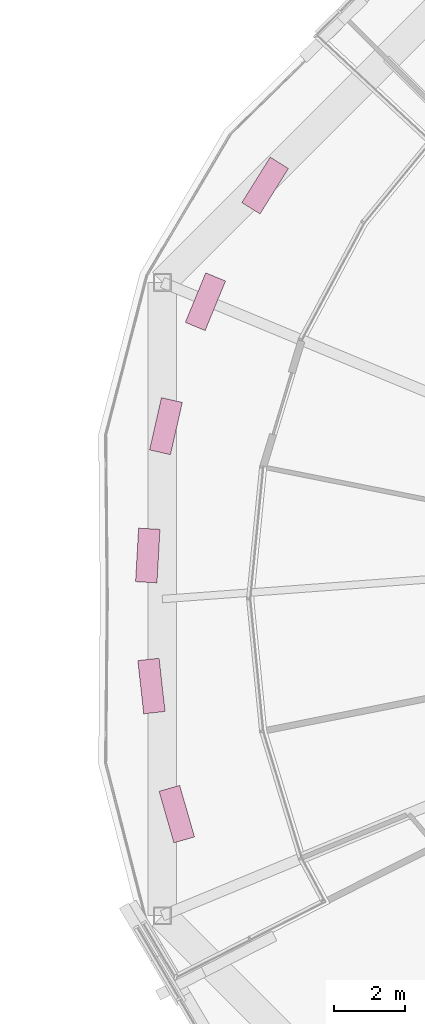
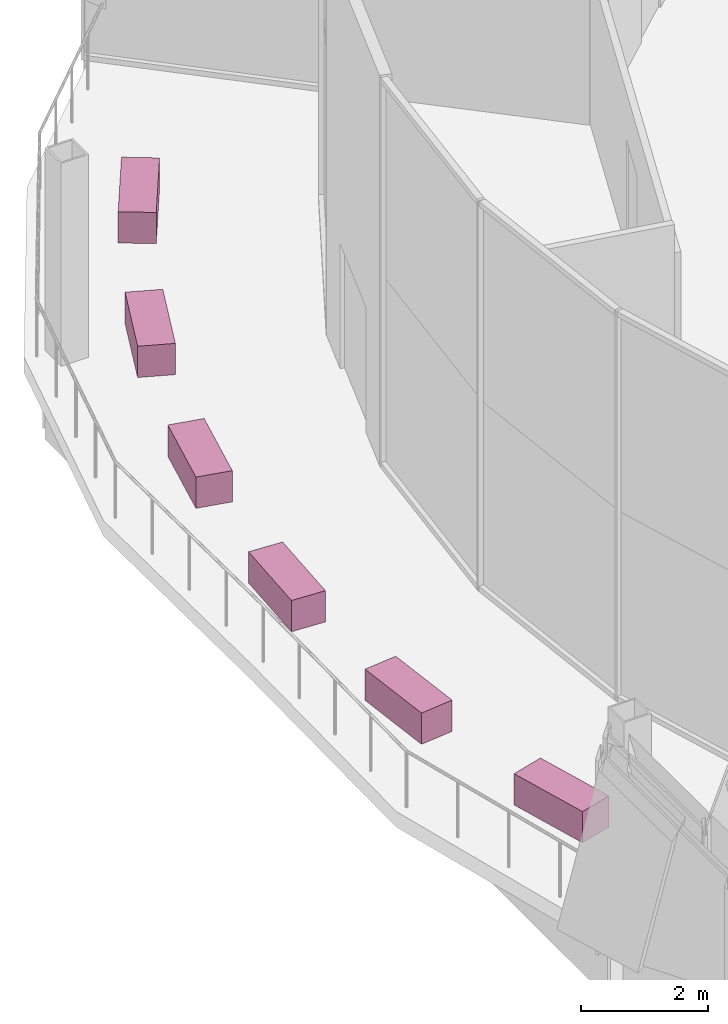
# One storey, part 31 of 31: 6 furniture elements.
"""IFC4 building model written with IfcOpenShell, lengths in metres."""

from ifc_helpers import new_model, si_unit, direction, frame, origin, origin_2d, place, context, subcontext, project, spatial, rectangle, extrude, material, type_object, element, save


model = new_model("IFC4")

# Units and contexts
model_context = context("Model", 3, precision=1e-05, world=origin(), true_north=direction((0.0, 1.0)))
body_context = subcontext(model_context, "Body", "Model", "MODEL_VIEW")
ifc_project = project(units=[si_unit("LENGTHUNIT", "METRE"), si_unit("AREAUNIT", "SQUARE_METRE"), si_unit("VOLUMEUNIT", "CUBIC_METRE"), si_unit("PLANEANGLEUNIT", "RADIAN"), si_unit("MASSUNIT", "GRAM", prefix="KILO")], contexts=[model_context])

# Site, building, storey
site_placement = place(None, origin())
site = spatial("IfcSite", under=ifc_project, at=site_placement, CompositionType="ELEMENT")
building_placement = place(site_placement, origin())
building = spatial("IfcBuilding", under=site, at=building_placement, Name="Ogive Gate Towers", CompositionType="ELEMENT")
storey_placement = place(building_placement, frame((0.0, 0.0, 107.39990234375)))
storey = spatial("IfcBuildingStorey", under=building, at=storey_placement, Name="L25", CompositionType="ELEMENT", Elevation=107.39990234375)

# Furniture
ifc_material = material(Name="Precast concrete C40/50", Category="concrete")
furniture_type = type_object("IfcFurnitureType", Name="Planter 1500 x 600", AssemblyPlace="NOTDEFINED", PredefinedType="USERDEFINED", material=ifc_material)
for number, where, z_axis, x_axis, name in (
    (1, (17.478515625, 11.573486328125, 0.0), (0.0, 0.0, 1.0), (-0.529919264233, -0.848048096156, 0.0), "Planter"),
    (2, (15.807861328125, 8.322509765625, 0.0), (0.0, 0.0, 1.0), (-0.38107037635, -0.924546033612, 0.0), "Planter"),
    (3, (14.70263671875, 4.838623046875, 0.0), (0.0, 0.0, 1.0), (-0.221548497619, -0.975149354306, 0.0), "Planter"),
    (4, (14.194091796875, 1.218994140625, 0.0), (0.0, 0.0, 1.0), (-0.055821504993, -0.998440764182, 0.0), "Planter"),
    (5, (14.296142578125, -2.4345703125, 0.0), (0.0, 0.0, 1.0), (0.111468932206, -0.993767919161, 0.0), "Planter"),
    (6, (15.006103515625, -6.02001953125, 0.0), (0.0, 0.0, 1.0), (0.275637355817, -0.961261695938, 0.0), "Planter"),
):
    element("IfcFurniture", number, at=place(storey_placement, frame(where, z_axis=z_axis, x_axis=x_axis)), inside=storey, type_object=furniture_type, Name=name, ObjectType="PLANTER", PredefinedType="USERDEFINED", context=body_context, shape_type="SweptSolid", body=[
        extrude(rectangle(XDim=1.5, YDim=0.60009765625, at=origin_2d()), origin(), (0.0, 0.0, 1.0), 0.60009765625),
    ])

save(model, "model.ifc")
